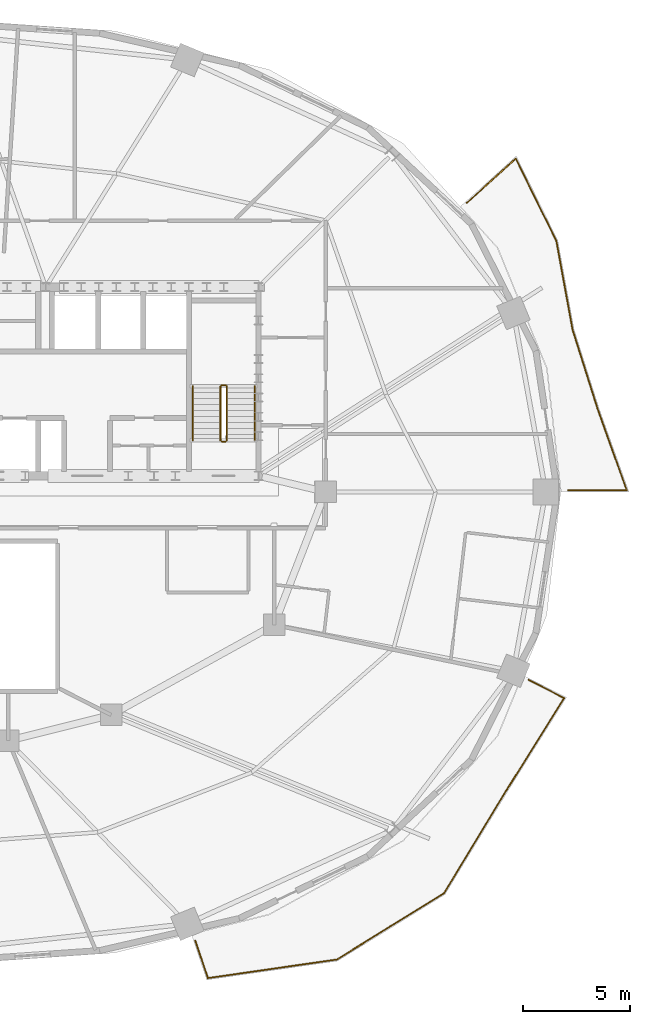
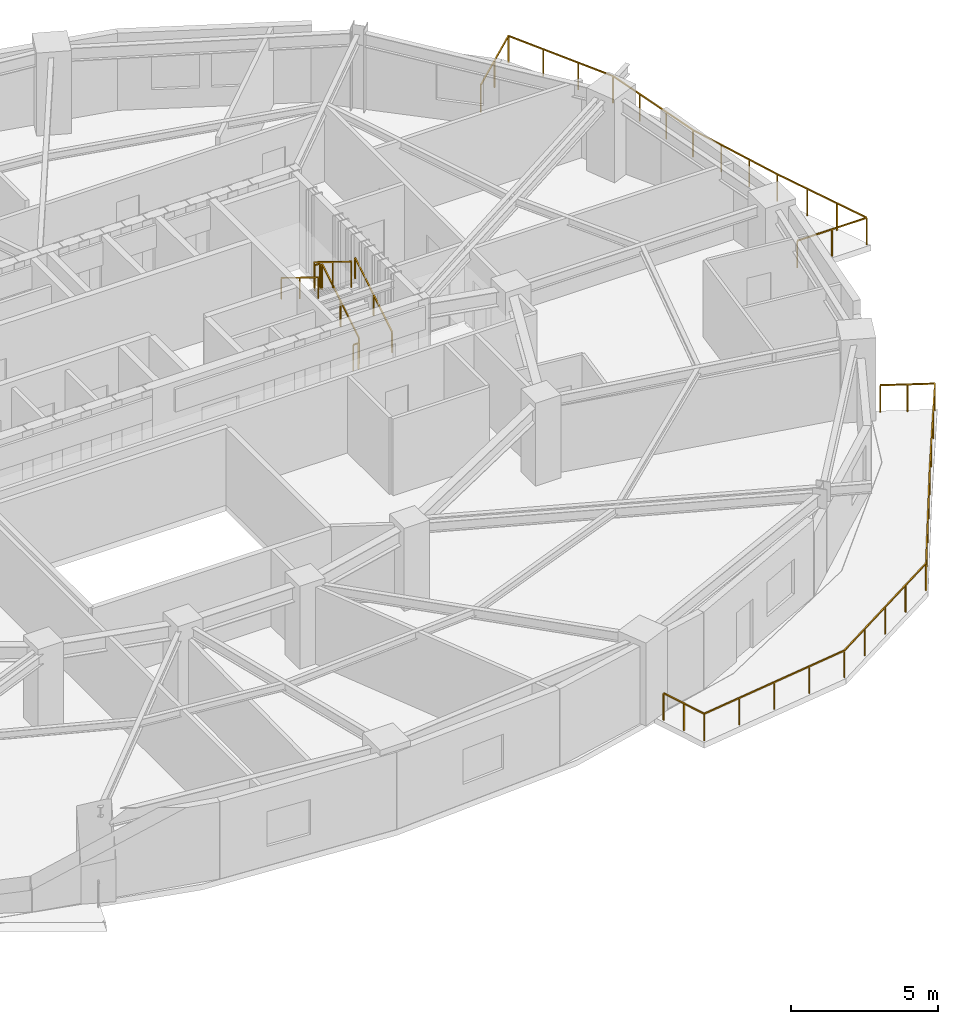
# One storey, part 10 of 10: 8 railings.
"""IFC4 building model written with IfcOpenShell, lengths in metres."""

from ifc_helpers import new_model, si_unit, direction, frame, origin, origin_2d, place, context, subcontext, project, spatial, rectangle, extrude, material, type_object, element, save


model = new_model("IFC4")

# Units and contexts
model_context = context("Model", 3, precision=1e-05, world=origin(), true_north=direction((0.0, 1.0)))
body_context = subcontext(model_context, "Body", "Model", "MODEL_VIEW")
ifc_project = project(units=[si_unit("LENGTHUNIT", "METRE"), si_unit("AREAUNIT", "SQUARE_METRE"), si_unit("VOLUMEUNIT", "CUBIC_METRE"), si_unit("PLANEANGLEUNIT", "RADIAN"), si_unit("MASSUNIT", "GRAM", prefix="KILO")], contexts=[model_context])

# Site, building, storey
site_placement = place(None, origin())
site = spatial("IfcSite", under=ifc_project, at=site_placement, CompositionType="ELEMENT")
building_placement = place(site_placement, origin())
building = spatial("IfcBuilding", under=site, at=building_placement, Name="Haldorwick Loom Tower", CompositionType="ELEMENT")
storey_placement = place(building_placement, frame((0.0, 0.0, 193.449951171875)))
storey = spatial("IfcBuildingStorey", under=building, at=storey_placement, Name="L52", CompositionType="ELEMENT", Elevation=193.449951171875)

# Railings
ifc_material_1 = material(Name="Galvanized Steel CSA G40.21 350W", Category="steel")
railing_type_1 = type_object("IfcRailingType", Name="ARC-RLG-BAL115", PredefinedType="BALUSTRADE", material=ifc_material_1)
railing_1_placement = place(storey_placement, frame((62.661376953125, 17.2353515625, 0.0)))
element("IfcRailing", 1, at=railing_1_placement, inside=storey, type_object=railing_type_1, Name="L52 Outdoor Terrace Guardrail SLB-L52-BAL_SE-1", PredefinedType="BALUSTRADE", context=body_context, shape_type="SweptSolid", body=[
    extrude(rectangle(XDim=0.048095703125, YDim=0.048095703125, at=origin_2d()), frame((0.0, 0.0, 1.1259765625), z_axis=(0.890893691189, -0.454211878973, 0.0), x_axis=(0.454211878973, 0.890893691189, 0.0)), (0.0, 0.0, 1.0), 1.8662109375),
    extrude(rectangle(XDim=0.048095703125, YDim=0.048095703125, at=origin_2d()), frame((1.66259765625, -0.84765625, 1.1259765625), z_axis=(-0.530279090567, -0.847823145536, 0.0), x_axis=(0.847823145536, -0.530279090567, 0.0)), (0.0, 0.0, 1.0), 5.012939453125),
    extrude(rectangle(XDim=0.048095703125, YDim=0.048095703125, at=origin_2d()), frame((-0.99560546875, -5.09765625, 1.1259765625), z_axis=(-0.6, -0.8, 0.0), x_axis=(0.8, -0.6, 0.0)), (0.0, 0.0, 1.0), 0.001220703125),
    extrude(rectangle(XDim=0.048095703125, YDim=0.048095703125, at=origin_2d()), frame((-0.996337890625, -5.0986328125, 1.1259765625), z_axis=(-0.519275509601, -0.854606895086, 0.0), x_axis=(0.854606895086, -0.519275509601, 0.0)), (0.0, 0.0, 1.0), 5.6767578125),
    extrude(rectangle(XDim=0.048095703125, YDim=0.048095703125, at=origin_2d()), frame((-3.944091796875, -9.949951171875, 1.1259765625), z_axis=(-0.850370602088, -0.526184225442, 0.0), x_axis=(0.526184225442, -0.850370602088, 0.0)), (0.0, 0.0, 1.0), 5.870361328125),
    extrude(rectangle(XDim=0.048095703125, YDim=0.048095703125, at=origin_2d()), frame((-8.93603515625, -13.038818359375, 1.1259765625), z_axis=(-0.989779162617, -0.142608587572, 0.0), x_axis=(0.142608587572, -0.989779162617, 0.0)), (0.0, 0.0, 1.0), 6.073974609375),
    extrude(rectangle(XDim=0.048095703125, YDim=0.048095703125, at=origin_2d()), frame((-14.947998046875, -13.905029296875, 1.1259765625), z_axis=(-0.320464888743, 0.94726039455, 0.0), x_axis=(-0.94726039455, -0.320464888743, 0.0)), (0.0, 0.0, 1.0), 1.84814453125),
    extrude(rectangle(XDim=0.0419921875, YDim=0.0419921875, at=origin_2d()), origin(), (0.0, 0.0, 1.0), 1.101806640625),
    extrude(rectangle(XDim=0.0419921875, YDim=0.0419921875, at=origin_2d()), frame((0.831298828125, -0.423828125, 0.0)), (0.0, 0.0, 1.0), 1.101806640625),
    extrude(rectangle(XDim=0.0419921875, YDim=0.0419921875, at=origin_2d()), frame((1.66259765625, -0.84765625, 0.0)), (0.0, 0.0, 1.0), 1.101806640625),
    extrude(rectangle(XDim=0.0419921875, YDim=0.0419921875, at=origin_2d()), frame((0.776611328125, -2.264404296875, 0.0)), (0.0, 0.0, 1.0), 1.101806640625),
    extrude(rectangle(XDim=0.0419921875, YDim=0.0419921875, at=origin_2d()), frame((-0.109619140625, -3.680908203125, 0.0)), (0.0, 0.0, 1.0), 1.101806640625),
    extrude(rectangle(XDim=0.0419921875, YDim=0.0419921875, at=origin_2d()), frame((-0.99560546875, -5.09765625, 0.0)), (0.0, 0.0, 1.0), 1.101806640625),
    extrude(rectangle(XDim=0.0419921875, YDim=0.0419921875, at=origin_2d()), frame((-1.7333984375, -6.3115234375, 0.0)), (0.0, 0.0, 1.0), 1.101806640625),
    extrude(rectangle(XDim=0.0419921875, YDim=0.0419921875, at=origin_2d()), frame((-2.47021484375, -7.5244140625, 0.0)), (0.0, 0.0, 1.0), 1.101806640625),
    extrude(rectangle(XDim=0.0419921875, YDim=0.0419921875, at=origin_2d()), frame((-3.20703125, -8.737060546875, 0.0)), (0.0, 0.0, 1.0), 1.101806640625),
    extrude(rectangle(XDim=0.0419921875, YDim=0.0419921875, at=origin_2d()), frame((-3.944091796875, -9.949951171875, 0.0)), (0.0, 0.0, 1.0), 1.101806640625),
    extrude(rectangle(XDim=0.0419921875, YDim=0.0419921875, at=origin_2d()), frame((-5.192138671875, -10.72216796875, 0.0)), (0.0, 0.0, 1.0), 1.101806640625),
    extrude(rectangle(XDim=0.0419921875, YDim=0.0419921875, at=origin_2d()), frame((-6.43994140625, -11.494384765625, 0.0)), (0.0, 0.0, 1.0), 1.101806640625),
    extrude(rectangle(XDim=0.0419921875, YDim=0.0419921875, at=origin_2d()), frame((-7.68798828125, -12.2666015625, 0.0)), (0.0, 0.0, 1.0), 1.101806640625),
    extrude(rectangle(XDim=0.0419921875, YDim=0.0419921875, at=origin_2d()), frame((-8.93603515625, -13.038818359375, 0.0)), (0.0, 0.0, 1.0), 1.101806640625),
    extrude(rectangle(XDim=0.0419921875, YDim=0.0419921875, at=origin_2d()), frame((-10.43896484375, -13.25537109375, 0.0)), (0.0, 0.0, 1.0), 1.101806640625),
    extrude(rectangle(XDim=0.0419921875, YDim=0.0419921875, at=origin_2d()), frame((-11.94189453125, -13.471923828125, 0.0)), (0.0, 0.0, 1.0), 1.101806640625),
    extrude(rectangle(XDim=0.0419921875, YDim=0.0419921875, at=origin_2d()), frame((-13.445068359375, -13.6884765625, 0.0)), (0.0, 0.0, 1.0), 1.101806640625),
    extrude(rectangle(XDim=0.0419921875, YDim=0.0419921875, at=origin_2d()), frame((-14.947998046875, -13.905029296875, 0.0)), (0.0, 0.0, 1.0), 1.101806640625),
    extrude(rectangle(XDim=0.0419921875, YDim=0.0419921875, at=origin_2d()), frame((-15.244140625, -13.02978515625, 0.0)), (0.0, 0.0, 1.0), 1.101806640625),
    extrude(rectangle(XDim=0.0419921875, YDim=0.0419921875, at=origin_2d()), frame((-15.540283203125, -12.154296875, 0.0)), (0.0, 0.0, 1.0), 1.101806640625),
])
railing_2_placement = place(storey_placement, frame((59.788818359375, 39.48046875, 0.0)))
element("IfcRailing", 2, at=railing_2_placement, inside=storey, type_object=railing_type_1, Name="L52 Outdoor Terrace Guardrail SLB-L52-BAL_ENE-1", PredefinedType="BALUSTRADE", context=body_context, shape_type="SweptSolid", body=[
    extrude(rectangle(XDim=0.048095703125, YDim=0.048095703125, at=origin_2d()), frame((0.0, 0.0, 1.1259765625), z_axis=(0.741629818427, 0.670809371148, 0.0), x_axis=(-0.670809371148, 0.741629818427, 0.0)), (0.0, 0.0, 1.0), 3.074951171875),
    extrude(rectangle(XDim=0.048095703125, YDim=0.048095703125, at=origin_2d()), frame((2.280517578125, 2.062744140625, 1.1259765625), z_axis=(0.441327923255, -0.897345899949, 0.0), x_axis=(0.897345899949, 0.441327923255, 0.0)), (0.0, 0.0, 1.0), 4.287841796875),
    extrude(rectangle(XDim=0.048095703125, YDim=0.048095703125, at=origin_2d()), frame((4.1728515625, -1.784912109375, 1.1259765625), z_axis=(0.179997784383, -0.983667015619, 0.0), x_axis=(0.983667015619, 0.179997784383, 0.0)), (0.0, 0.0, 1.0), 4.210205078125),
    extrude(rectangle(XDim=0.048095703125, YDim=0.048095703125, at=origin_2d()), frame((4.9306640625, -5.92626953125, 1.1259765625), z_axis=(0.242535625036, -0.970142500145, 0.0), x_axis=(0.970142500145, 0.242535625036, 0.0)), (0.0, 0.0, 1.0), 0.010009765625),
    extrude(rectangle(XDim=0.048095703125, YDim=0.048095703125, at=origin_2d()), frame((4.93310546875, -5.93603515625, 1.1259765625), z_axis=(0.301772587329, -0.953379937662, 0.0), x_axis=(0.953379937662, 0.301772587329, 0.0)), (0.0, 0.0, 1.0), 3.880859375),
    extrude(rectangle(XDim=0.048095703125, YDim=0.048095703125, at=origin_2d()), frame((6.104248046875, -9.635986328125, 1.1259765625), z_axis=(0.341743063087, -0.939793423488, 0.0), x_axis=(0.939793423488, 0.341743063087, 0.0)), (0.0, 0.0, 1.0), 0.0029296875),
    extrude(rectangle(XDim=0.048095703125, YDim=0.048095703125, at=origin_2d()), frame((6.105224609375, -9.638671875, 1.1259765625), z_axis=(0.337156851185, -0.941448489137, 0.0), x_axis=(0.941448489137, 0.337156851185, 0.0)), (0.0, 0.0, 1.0), 3.99560546875),
    extrude(rectangle(XDim=0.048095703125, YDim=0.048095703125, at=origin_2d()), frame((7.452392578125, -13.400390625, 1.1259765625), z_axis=(-1.0, 0.0, 0.0), x_axis=(0.0, -1.0, 0.0)), (0.0, 0.0, 1.0), 2.731689453125),
    extrude(rectangle(XDim=0.0419921875, YDim=0.0419921875, at=origin_2d()), origin(), (0.0, 0.0, 1.0), 1.101806640625),
    extrude(rectangle(XDim=0.0419921875, YDim=0.0419921875, at=origin_2d()), frame((1.14013671875, 1.03125, 0.0)), (0.0, 0.0, 1.0), 1.101806640625),
    extrude(rectangle(XDim=0.0419921875, YDim=0.0419921875, at=origin_2d()), frame((2.280517578125, 2.062744140625, 0.0)), (0.0, 0.0, 1.0), 1.101806640625),
    extrude(rectangle(XDim=0.0419921875, YDim=0.0419921875, at=origin_2d()), frame((2.911376953125, 0.7802734375, 0.0)), (0.0, 0.0, 1.0), 1.101806640625),
    extrude(rectangle(XDim=0.0419921875, YDim=0.0419921875, at=origin_2d()), frame((3.5419921875, -0.50244140625, 0.0)), (0.0, 0.0, 1.0), 1.101806640625),
    extrude(rectangle(XDim=0.0419921875, YDim=0.0419921875, at=origin_2d()), frame((4.1728515625, -1.784912109375, 0.0)), (0.0, 0.0, 1.0), 1.101806640625),
    extrude(rectangle(XDim=0.0419921875, YDim=0.0419921875, at=origin_2d()), frame((4.425537109375, -3.165283203125, 0.0)), (0.0, 0.0, 1.0), 1.101806640625),
    extrude(rectangle(XDim=0.0419921875, YDim=0.0419921875, at=origin_2d()), frame((4.677978515625, -4.5458984375, 0.0)), (0.0, 0.0, 1.0), 1.101806640625),
    extrude(rectangle(XDim=0.0419921875, YDim=0.0419921875, at=origin_2d()), frame((4.9306640625, -5.92626953125, 0.0)), (0.0, 0.0, 1.0), 1.101806640625),
    extrude(rectangle(XDim=0.0419921875, YDim=0.0419921875, at=origin_2d()), frame((5.323486328125, -7.16943359375, 0.0)), (0.0, 0.0, 1.0), 1.101806640625),
    extrude(rectangle(XDim=0.0419921875, YDim=0.0419921875, at=origin_2d()), frame((5.7138671875, -8.402587890625, 0.0)), (0.0, 0.0, 1.0), 1.101806640625),
    extrude(rectangle(XDim=0.0419921875, YDim=0.0419921875, at=origin_2d()), frame((6.104248046875, -9.635986328125, 0.0)), (0.0, 0.0, 1.0), 1.101806640625),
    extrude(rectangle(XDim=0.0419921875, YDim=0.0419921875, at=origin_2d()), frame((6.55419921875, -10.892578125, 0.0)), (0.0, 0.0, 1.0), 1.101806640625),
    extrude(rectangle(XDim=0.0419921875, YDim=0.0419921875, at=origin_2d()), frame((7.00341796875, -12.146484375, 0.0)), (0.0, 0.0, 1.0), 1.101806640625),
    extrude(rectangle(XDim=0.0419921875, YDim=0.0419921875, at=origin_2d()), frame((7.452392578125, -13.400390625, 0.0)), (0.0, 0.0, 1.0), 1.101806640625),
    extrude(rectangle(XDim=0.0419921875, YDim=0.0419921875, at=origin_2d()), frame((6.08642578125, -13.400390625, 0.0)), (0.0, 0.0, 1.0), 1.101806640625),
    extrude(rectangle(XDim=0.0419921875, YDim=0.0419921875, at=origin_2d()), frame((4.720703125, -13.400390625, 0.0)), (0.0, 0.0, 1.0), 1.101806640625),
])
ifc_material_2 = material(Name="Steel CSA G40.21 350W", Category="steel")
railing_type_2 = type_object("IfcRailingType", Name="ARC-RLG-GUARD112", PredefinedType="GUARDRAIL", material=ifc_material_2)
railing_3_placement = place(storey_placement, frame((48.60009765625, 28.39990234375, 0.172607421875)))
element("IfcRailing", 3, at=railing_3_placement, inside=storey, type_object=railing_type_2, Name="L52 ST-02 stair guard 1", PredefinedType="GUARDRAIL", context=body_context, shape_type="SweptSolid", body=[
    extrude(rectangle(XDim=0.048095703125, YDim=0.048095703125, at=origin_2d()), frame((0.0, 0.0, 1.076171875), z_axis=(0.0, 0.851400495292, 0.524516154772), x_axis=(-1.0, 0.0, 0.0)), (0.0, 0.0, 1.0), 2.9599609375),
    extrude(rectangle(XDim=0.0419921875, YDim=0.0419921875, at=origin_2d()), origin(), (0.0, 0.0, 1.0), 1.052001953125),
    extrude(rectangle(XDim=0.0419921875, YDim=0.0419921875, at=origin_2d()), frame((0.0, 1.260009765625, 0.7763671875)), (0.0, 0.0, 1.0), 1.052001953125),
    extrude(rectangle(XDim=0.0419921875, YDim=0.0419921875, at=origin_2d()), frame((0.0, 2.52001953125, 1.552490234375)), (0.0, 0.0, 1.0), 1.052001953125),
])
railing_4_placement = place(storey_placement, frame((48.550048828125, 30.969970703125, 1.72509765625)))
element("IfcRailing", 4, at=railing_4_placement, inside=storey, type_object=railing_type_2, Name="L52 ST-02 stair guard 2", PredefinedType="GUARDRAIL", context=body_context, shape_type="SweptSolid", body=[
    extrude(rectangle(XDim=0.048095703125, YDim=0.048095703125, at=origin_2d()), frame((0.0, 0.0, 1.076171875), z_axis=(-1.0, 0.0, 0.0), x_axis=(0.0, -1.0, 0.0)), (0.0, 0.0, 1.0), 0.199951171875),
    extrude(rectangle(XDim=0.0419921875, YDim=0.0419921875, at=origin_2d()), origin(), (0.0, 0.0, 1.0), 1.052001953125),
    extrude(rectangle(XDim=0.0419921875, YDim=0.0419921875, at=origin_2d()), frame((-0.199951171875, 0.0, 0.0)), (0.0, 0.0, 1.0), 1.052001953125),
])
railing_5_placement = place(storey_placement, frame((48.300048828125, 30.919921875, 1.8974609375)))
element("IfcRailing", 5, at=railing_5_placement, inside=storey, type_object=railing_type_2, Name="L52 ST-02 stair guard 3", PredefinedType="GUARDRAIL", context=body_context, shape_type="SweptSolid", body=[
    extrude(rectangle(XDim=0.048095703125, YDim=0.048095703125, at=origin_2d()), frame((0.0, 0.0, 1.076171875), z_axis=(0.0, -0.851400495292, 0.524516154772), x_axis=(1.0, 0.0, 0.0)), (0.0, 0.0, 1.0), 2.9599609375),
    extrude(rectangle(XDim=0.0419921875, YDim=0.0419921875, at=origin_2d()), origin(), (0.0, 0.0, 1.0), 1.052001953125),
    extrude(rectangle(XDim=0.0419921875, YDim=0.0419921875, at=origin_2d()), frame((0.0, -1.260009765625, 0.7763671875)), (0.0, 0.0, 1.0), 1.052001953125),
    extrude(rectangle(XDim=0.0419921875, YDim=0.0419921875, at=origin_2d()), frame((0.0, -2.52001953125, 1.552490234375)), (0.0, 0.0, 1.0), 1.052001953125),
])
railing_6_placement = place(storey_placement, frame((48.550048828125, 28.35009765625, 0.0)))
element("IfcRailing", 6, at=railing_6_placement, inside=storey, type_object=railing_type_2, Name="L52 ST-02 stair guard 4", PredefinedType="GUARDRAIL", context=body_context, shape_type="SweptSolid", body=[
    extrude(rectangle(XDim=0.048095703125, YDim=0.048095703125, at=origin_2d()), frame((0.0, 0.0, 1.076171875), z_axis=(-1.0, 0.0, 0.0), x_axis=(0.0, -1.0, 0.0)), (0.0, 0.0, 1.0), 0.199951171875),
    extrude(rectangle(XDim=0.0419921875, YDim=0.0419921875, at=origin_2d()), origin(), (0.0, 0.0, 1.0), 1.052001953125),
    extrude(rectangle(XDim=0.0419921875, YDim=0.0419921875, at=origin_2d()), frame((-0.199951171875, 0.0, 0.0)), (0.0, 0.0, 1.0), 1.052001953125),
])
railing_type_3 = type_object("IfcRailingType", Name="ARC-RLG-HAND092", PredefinedType="HANDRAIL", material=ifc_material_2)
railing_7_placement = place(storey_placement, frame((49.89990234375, 28.39990234375, 0.172607421875)))
element("IfcRailing", 7, at=railing_7_placement, inside=storey, type_object=railing_type_3, Name="L52 ST-02 stair handrail 1", PredefinedType="HANDRAIL", context=body_context, shape_type="SweptSolid", body=[
    extrude(rectangle(XDim=0.048095703125, YDim=0.048095703125, at=origin_2d()), frame((0.0, 0.0, 0.8759765625), z_axis=(0.0, 0.851400495292, 0.524516154772), x_axis=(-1.0, 0.0, 0.0)), (0.0, 0.0, 1.0), 2.9599609375),
    extrude(rectangle(XDim=0.0419921875, YDim=0.0419921875, at=origin_2d()), origin(), (0.0, 0.0, 1.0), 0.851806640625),
    extrude(rectangle(XDim=0.0419921875, YDim=0.0419921875, at=origin_2d()), frame((0.0, 1.260009765625, 0.7763671875)), (0.0, 0.0, 1.0), 0.851806640625),
    extrude(rectangle(XDim=0.0419921875, YDim=0.0419921875, at=origin_2d()), frame((0.0, 2.52001953125, 1.552490234375)), (0.0, 0.0, 1.0), 0.851806640625),
])
railing_8_placement = place(storey_placement, frame((47.0, 30.919921875, 1.8974609375)))
element("IfcRailing", 8, at=railing_8_placement, inside=storey, type_object=railing_type_3, Name="L52 ST-02 stair handrail 2", PredefinedType="HANDRAIL", context=body_context, shape_type="SweptSolid", body=[
    extrude(rectangle(XDim=0.048095703125, YDim=0.048095703125, at=origin_2d()), frame((0.0, 0.0, 0.8759765625), z_axis=(0.0, -0.851400495292, 0.524516154772), x_axis=(1.0, 0.0, 0.0)), (0.0, 0.0, 1.0), 2.9599609375),
    extrude(rectangle(XDim=0.0419921875, YDim=0.0419921875, at=origin_2d()), origin(), (0.0, 0.0, 1.0), 0.851806640625),
    extrude(rectangle(XDim=0.0419921875, YDim=0.0419921875, at=origin_2d()), frame((0.0, -1.260009765625, 0.7763671875)), (0.0, 0.0, 1.0), 0.851806640625),
    extrude(rectangle(XDim=0.0419921875, YDim=0.0419921875, at=origin_2d()), frame((0.0, -2.52001953125, 1.552490234375)), (0.0, 0.0, 1.0), 0.851806640625),
])

save(model, "model.ifc")
